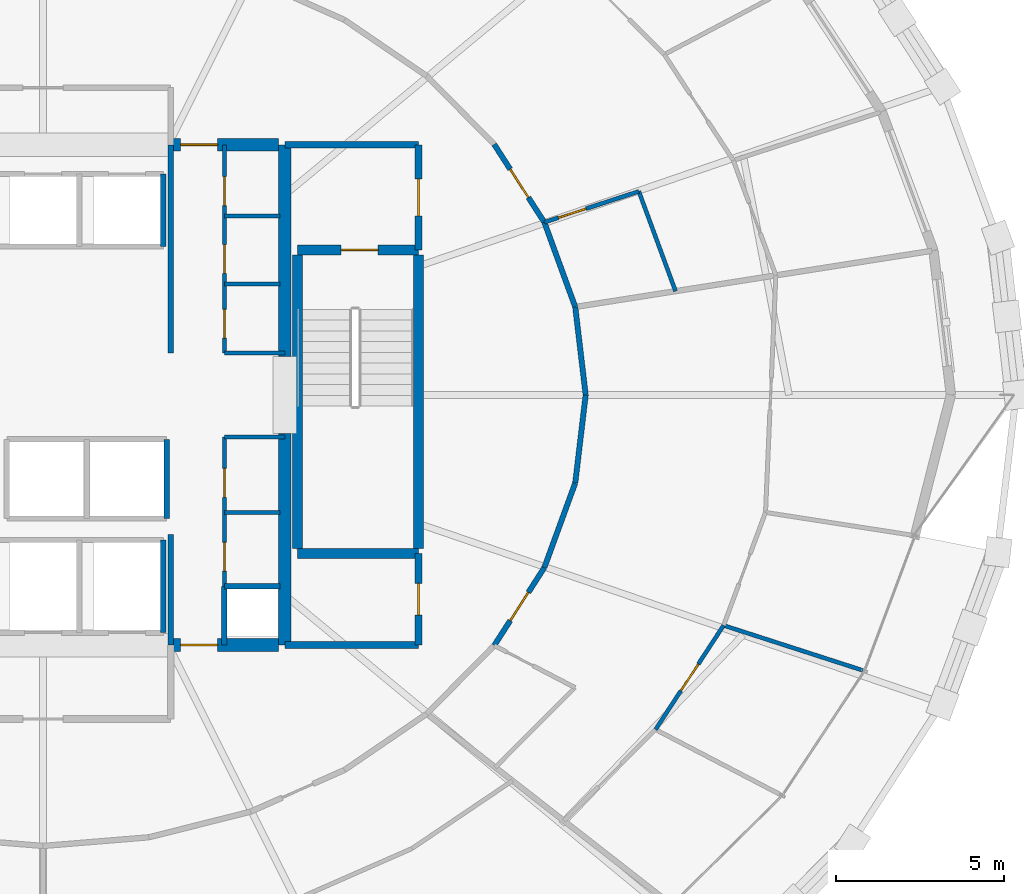
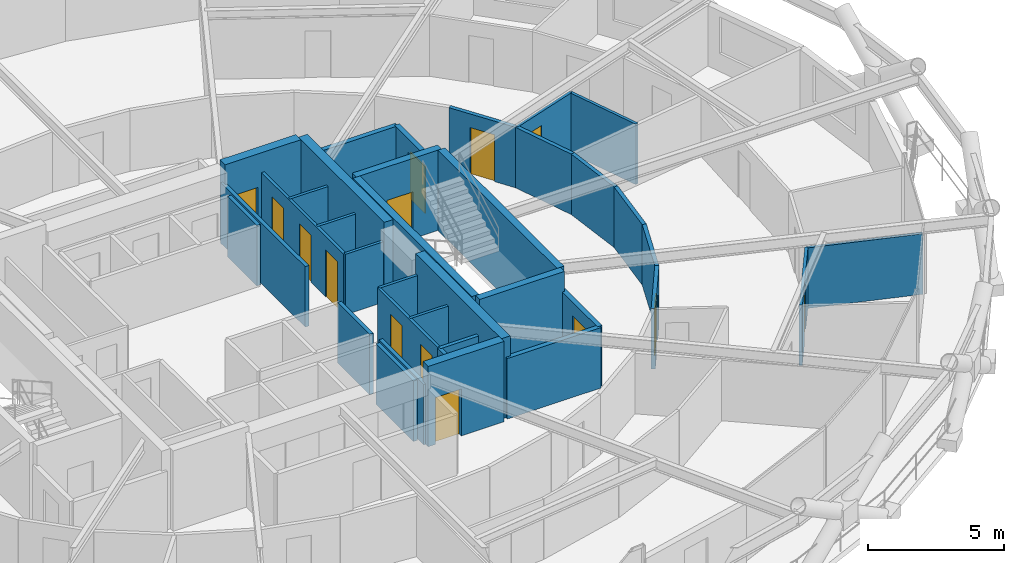
# One storey, part 17 of 22: 36 walls, 14 doors, 14 openings.
"""IFC4 building model written with IfcOpenShell, lengths in metres."""

from ifc_helpers import new_model, si_unit, direction, frame, frame_2d, origin, place, context, subcontext, project, spatial, rectangle, extrude, material, layer, layer_set, type_object, element, fill, save


model = new_model("IFC4")

# Units and contexts
model_context = context("Model", 3, precision=1e-05, world=origin(), true_north=direction((0.0, 1.0)))
body_context = subcontext(model_context, "Body", "Model", "MODEL_VIEW")
ifc_project = project(units=[si_unit("LENGTHUNIT", "METRE"), si_unit("AREAUNIT", "SQUARE_METRE"), si_unit("VOLUMEUNIT", "CUBIC_METRE"), si_unit("PLANEANGLEUNIT", "RADIAN"), si_unit("MASSUNIT", "GRAM", prefix="KILO")], contexts=[model_context])

# Site, building, storey
site_placement = place(None, origin())
site = spatial("IfcSite", under=ifc_project, at=site_placement, CompositionType="ELEMENT")
building_placement = place(site_placement, origin())
building = spatial("IfcBuilding", under=site, at=building_placement, Name="Veldorina Hangang Commons", CompositionType="ELEMENT")
storey_placement = place(building_placement, frame((0.0, 0.0, 80.800048828125)))
storey = spatial("IfcBuildingStorey", under=building, at=storey_placement, Name="L20", CompositionType="ELEMENT", Elevation=80.800048828125)

# Walls
ifc_material_1 = material(Name="Concrete C70/85", Category="concrete")
ifc_layer_1 = layer(ifc_material_1, 0.3798828125)
ifc_layer_set_1 = layer_set([ifc_layer_1], Name="Concrete C70/85")
wall_type_1 = type_object("IfcWallType", Name="CW-RC380-C70", PredefinedType="SHEAR", material=ifc_layer_set_1)
for number, where, z_axis, x_axis, name in (
    (1, (39.199951171875, 16.550048828125, 0.0), (0.0, 0.0, 1.0), (0.0, 1.0, 0.0), "L20 E south core shear wall"),
    (2, (39.199951171875, 25.14990234375, 0.0), (0.0, 0.0, 1.0), (0.0, 1.0, 0.0), "L20 E north core shear wall"),
):
    element("IfcWall", number, at=place(storey_placement, frame(where, z_axis=z_axis, x_axis=x_axis)), inside=storey, type_object=wall_type_1, Name=name, PredefinedType="SHEAR", context=body_context, shape_type="SweptSolid", body=[
        extrude(rectangle(XDim=6.300048828125, YDim=0.3798828125, at=frame_2d((3.14990234375, 0.0))), origin(), (0.0, 0.0, 1.0), 3.599853515625),
    ])

# Wall, opening, door
wall_1_placement = place(storey_placement, frame((35.800048828125, 16.550048828125, 0.0), z_axis=(0.0, 0.0, 1.0), x_axis=(1.0, 0.0, 0.0)))
wall_1 = element("IfcWall", 3, at=wall_1_placement, inside=storey, type_object=wall_type_1, Name="L20 south-east core shear wall", PredefinedType="SHEAR", context=body_context, shape_type="SweptSolid", body=[
    extrude(rectangle(XDim=3.2099609375, YDim=0.3798828125, at=frame_2d((1.60498046875, 0.0))), origin(), (0.0, 0.0, 1.0), 3.599853515625),
])
opening_1_placement = place(wall_1_placement, frame((0.300048828125, 0.0, 0.0)))
opening_1 = element("IfcOpeningElement", 4, at=opening_1_placement, cuts=wall_1, Name="Opening D-08", PredefinedType="OPENING", context=body_context, shape_type="SweptSolid", body=[
    extrude(rectangle(XDim=1.10009765625, YDim=2.10009765625, at=frame_2d((0.550048828125, 1.050048828125))), frame((0.0, 0.199951171875, 0.0), z_axis=(0.0, -1.0, 0.0), x_axis=(1.0, 0.0, 0.0)), (0.0, 0.0, 1.0), 0.39990234375),
])
ifc_material_2 = material(Name="Steel Fire-Rated Smoke Seal", Category="steel")
door_type_1 = type_object("IfcDoorType", Name="DR-FIRE-1100", OperationType="SINGLE_SWING_RIGHT", PredefinedType="DOOR", material=ifc_material_2)
door_1_placement = place(opening_1_placement, origin())
door_1 = element("IfcDoor", 5, at=door_1_placement, inside=storey, type_object=door_type_1, Name="L20 central lift lobby south corridor door", OperationType="SINGLE_SWING_RIGHT", OverallHeight=2.10009765625, OverallWidth=1.10009765625, PredefinedType="DOOR", context=body_context, shape_type="SweptSolid", body=[
    extrude(rectangle(XDim=1.10009765625, YDim=2.10009765625, at=frame_2d((0.550048828125, 1.050048828125))), frame((0.0, 0.02490234375, 0.0), z_axis=(0.0, -1.0, 0.0), x_axis=(1.0, 0.0, 0.0)), (0.0, 0.0, 1.0), 0.050048828125),
])
fill(opening_1, door_1)

wall_2_placement = place(storey_placement, frame((35.800048828125, 31.449951171875, 0.0), z_axis=(0.0, 0.0, 1.0), x_axis=(1.0, 0.0, 0.0)))
wall_2 = element("IfcWall", 6, at=wall_2_placement, inside=storey, type_object=wall_type_1, Name="L20 north-east core shear wall", PredefinedType="SHEAR", context=body_context, shape_type="SweptSolid", body=[
    extrude(rectangle(XDim=3.2099609375, YDim=0.3798828125, at=frame_2d((1.60498046875, 0.0))), origin(), (0.0, 0.0, 1.0), 3.599853515625),
])
opening_2_placement = place(wall_2_placement, frame((0.300048828125, 0.0, 0.0)))
opening_2 = element("IfcOpeningElement", 7, at=opening_2_placement, cuts=wall_2, Name="Opening D-08", PredefinedType="OPENING", context=body_context, shape_type="SweptSolid", body=[
    extrude(rectangle(XDim=1.10009765625, YDim=2.10009765625, at=frame_2d((0.550048828125, 1.050048828125))), frame((0.0, 0.199951171875, 0.0), z_axis=(0.0, -1.0, 0.0), x_axis=(1.0, 0.0, 0.0)), (0.0, 0.0, 1.0), 0.39990234375),
])
door_2_placement = place(opening_2_placement, origin())
door_2 = element("IfcDoor", 8, at=door_2_placement, inside=storey, type_object=door_type_1, Name="L20 central lift lobby north corridor door", OperationType="SINGLE_SWING_LEFT", OverallHeight=2.10009765625, OverallWidth=1.10009765625, PredefinedType="DOOR", context=body_context, shape_type="SweptSolid", body=[
    extrude(rectangle(XDim=1.10009765625, YDim=2.10009765625, at=frame_2d((0.550048828125, 1.050048828125))), frame((0.0, 0.02490234375, 0.0), z_axis=(0.0, -1.0, 0.0), x_axis=(1.0, 0.0, 0.0)), (0.0, 0.0, 1.0), 0.050048828125),
])
fill(opening_2, door_2)

# Walls
ifc_material_3 = material(Name="Concrete C50/60", Category="concrete")
ifc_layer_2 = layer(ifc_material_3, 0.300048828125)
ifc_layer_set_2 = layer_set([ifc_layer_2], Name="Concrete C50/60")
wall_type_2 = type_object("IfcWallType", Name="SW-STAIR-300", PredefinedType="SHEAR", material=ifc_layer_set_2)
for number, where, z_axis, x_axis, name in (
    (9, (43.179931640625, 19.429931640625, 0.0), (0.0, 0.0, 1.0), (0.0, 1.0, 0.0), "L20 ST2 outer stair shear wall"),
    (10, (39.580078125, 19.429931640625, 0.0), (0.0, 0.0, 1.0), (0.0, 1.0, 0.0), "L20 ST2 inner stair shear wall"),
):
    element("IfcWall", number, at=place(storey_placement, frame(where, z_axis=z_axis, x_axis=x_axis)), inside=storey, type_object=wall_type_2, Name=name, PredefinedType="SHEAR", context=body_context, shape_type="SweptSolid", body=[
        extrude(rectangle(XDim=8.739990234375, YDim=0.300048828125, at=frame_2d((4.3701171875, 0.0))), origin(), (0.0, 0.0, 1.0), 3.599853515625),
    ])
wall_3_placement = place(storey_placement, frame((39.580078125, 19.280029296875, 0.0), z_axis=(0.0, 0.0, 1.0), x_axis=(1.0, 0.0, 0.0)))
element("IfcWall", 11, at=wall_3_placement, inside=storey, type_object=wall_type_2, Name="L20 ST2 south stair shear wall", PredefinedType="SHEAR", context=body_context, shape_type="SweptSolid", body=[
    extrude(rectangle(XDim=3.599853515625, YDim=0.300048828125, at=frame_2d((1.7998046875, 0.0))), origin(), (0.0, 0.0, 1.0), 3.599853515625),
])

# Wall, opening, door
wall_4_placement = place(storey_placement, frame((39.580078125, 28.320068359375, 0.0), z_axis=(0.0, 0.0, 1.0), x_axis=(1.0, 0.0, 0.0)))
wall_4 = element("IfcWall", 12, at=wall_4_placement, inside=storey, type_object=wall_type_2, Name="L20 ST2 north stair shear wall", PredefinedType="SHEAR", context=body_context, shape_type="SweptSolid", body=[
    extrude(rectangle(XDim=3.599853515625, YDim=0.300048828125, at=frame_2d((1.7998046875, 0.0))), origin(), (0.0, 0.0, 1.0), 3.599853515625),
])
opening_3_placement = place(wall_4_placement, frame((1.300048828125, 0.0, 0.0)))
opening_3 = element("IfcOpeningElement", 13, at=opening_3_placement, cuts=wall_4, Name="Opening D-08", PredefinedType="OPENING", context=body_context, shape_type="SweptSolid", body=[
    extrude(rectangle(XDim=1.10009765625, YDim=2.10009765625, at=frame_2d((0.550048828125, 1.050048828125))), frame((0.0, 0.16015625, 0.0), z_axis=(0.0, -1.0, 0.0), x_axis=(1.0, 0.0, 0.0)), (0.0, 0.0, 1.0), 0.320068359375),
])
door_3_placement = place(opening_3_placement, origin())
door_3 = element("IfcDoor", 14, at=door_3_placement, inside=storey, type_object=door_type_1, Name="L20 Special Escape Stair ST-2 door", OperationType="SINGLE_SWING_RIGHT", OverallHeight=2.10009765625, OverallWidth=1.10009765625, PredefinedType="DOOR", context=body_context, shape_type="SweptSolid", body=[
    extrude(rectangle(XDim=1.10009765625, YDim=2.10009765625, at=frame_2d((0.550048828125, 1.050048828125))), frame((0.0, 0.02490234375, 0.0), z_axis=(0.0, -1.0, 0.0), x_axis=(1.0, 0.0, 0.0)), (0.0, 0.0, 1.0), 0.050048828125),
])
fill(opening_3, door_3)

# Walls
ifc_material_4 = material(Name="Gypsum Fire-Rated Twin Stud Wall", Category="gypsum")
ifc_layer_3 = layer(ifc_material_4, 0.159912109375)
ifc_layer_set_3 = layer_set([ifc_layer_3], Name="Gypsum Fire-Rated Twin Stud Wall")
wall_type_3 = type_object("IfcWallType", Name="WL-FIRE-160", PredefinedType="SOLIDWALL", material=ifc_layer_set_3)
wall_5_placement = place(storey_placement, frame((35.800048828125, 16.550048828125, 0.0), z_axis=(0.0, 0.0, 1.0), x_axis=(0.0, 1.0, 0.0)))
element("IfcWall", 15, at=wall_5_placement, inside=storey, type_object=wall_type_3, Name="L20 Lift passage SW wall 009", PredefinedType="SOLIDWALL", context=body_context, shape_type="SweptSolid", body=[
    extrude(rectangle(XDim=3.300048828125, YDim=0.159912109375, at=frame_2d((1.64990234375, 0.0))), origin(), (0.0, 0.0, 1.0), 2.7099609375),
])
wall_6_placement = place(storey_placement, frame((37.39990234375, 16.550048828125, 0.0), z_axis=(0.0, 0.0, 1.0), x_axis=(0.0, 1.0, 0.0)))
element("IfcWall", 16, at=wall_6_placement, inside=storey, type_object=wall_type_3, Name="L20 Lift passage SE stub 010", PredefinedType="SOLIDWALL", context=body_context, shape_type="SweptSolid", body=[
    extrude(rectangle(XDim=1.75, YDim=0.159912109375, at=frame_2d((0.875, 0.0))), origin(), (0.0, 0.0, 1.0), 2.7099609375),
])
wall_7_placement = place(storey_placement, frame((35.800048828125, 25.25, 0.0), z_axis=(0.0, 0.0, 1.0), x_axis=(0.0, 1.0, 0.0)))
element("IfcWall", 17, at=wall_7_placement, inside=storey, type_object=wall_type_3, Name="L20 Lift passage NW wall 011", PredefinedType="SOLIDWALL", context=body_context, shape_type="SweptSolid", body=[
    extrude(rectangle(XDim=6.199951171875, YDim=0.159912109375, at=frame_2d((3.10009765625, 0.0))), origin(), (0.0, 0.0, 1.0), 2.7099609375),
])
wall_8_placement = place(storey_placement, frame((35.580078125, 28.419921875, 0.0), z_axis=(0.0, 0.0, 1.0), x_axis=(0.0, 1.0, 0.0)))
element("IfcWall", 18, at=wall_8_placement, inside=storey, type_object=wall_type_3, Name="L20 PL-L3 east shaft wall 020", PredefinedType="SOLIDWALL", context=body_context, shape_type="SweptSolid", body=[
    extrude(rectangle(XDim=2.16015625, YDim=0.159912109375, at=frame_2d((1.080078125, 0.0))), origin(), (0.0, 0.0, 1.0), 2.7099609375),
])
wall_9_placement = place(storey_placement, frame((35.679931640625, 20.320068359375, 0.0), z_axis=(0.0, 0.0, 1.0), x_axis=(0.0, 1.0, 0.0)))
element("IfcWall", 19, at=wall_9_placement, inside=storey, type_object=wall_type_3, Name="L20 SL-2 east shaft wall 025", PredefinedType="SOLIDWALL", context=body_context, shape_type="SweptSolid", body=[
    extrude(rectangle(XDim=2.35986328125, YDim=0.159912109375, at=frame_2d((1.179931640625, 0.0))), origin(), (0.0, 0.0, 1.0), 2.7099609375),
])
wall_10_placement = place(storey_placement, frame((35.580078125, 16.919921875, 0.0), z_axis=(0.0, 0.0, 1.0), x_axis=(0.0, 1.0, 0.0)))
element("IfcWall", 20, at=wall_10_placement, inside=storey, type_object=wall_type_3, Name="L20 EVL-1 east shaft wall 031", PredefinedType="SOLIDWALL", context=body_context, shape_type="SweptSolid", body=[
    extrude(rectangle(XDim=2.760009765625, YDim=0.159912109375, at=frame_2d((1.3798828125, 0.0))), origin(), (0.0, 0.0, 1.0), 2.7099609375),
])
wall_11_placement = place(storey_placement, frame((37.39990234375, 18.300048828125, 0.0), z_axis=(0.0, 0.0, 1.0), x_axis=(1.0, 0.0, 0.0)))
element("IfcWall", 21, at=wall_11_placement, inside=storey, type_object=wall_type_3, Name="L20 Plumbing riser wall 037", PredefinedType="SOLIDWALL", context=body_context, shape_type="SweptSolid", body=[
    extrude(rectangle(XDim=1.650146484375, YDim=0.159912109375, at=frame_2d((0.8251953125, 0.0))), origin(), (0.0, 0.0, 1.0), 2.7099609375),
])
wall_12_placement = place(storey_placement, frame((48.162109375, 24.0, 0.0), z_axis=(0.0, 0.0, 1.0), x_axis=(-0.117667763342, 0.993053018459, 0.0)))
element("IfcWall", 22, at=wall_12_placement, inside=storey, type_object=wall_type_3, Name="L20 Corridor outer wall 00 050", PredefinedType="SOLIDWALL", context=body_context, shape_type="SweptSolid", body=[
    extrude(rectangle(XDim=2.63916015625, YDim=0.159912109375, at=frame_2d((1.319580078125, 0.0))), origin(), (0.0, 0.0, 1.0), 2.7099609375),
])
wall_13_placement = place(storey_placement, frame((47.8515625, 26.620849609375, 0.0), z_axis=(0.0, 0.0, 1.0), x_axis=(-0.342882618672, 0.939378257047, 0.0)))
element("IfcWall", 23, at=wall_13_placement, inside=storey, type_object=wall_type_3, Name="L20 Corridor outer wall 01 051", PredefinedType="SOLIDWALL", context=body_context, shape_type="SweptSolid", body=[
    extrude(rectangle(XDim=2.682861328125, YDim=0.159912109375, at=frame_2d((1.34130859375, 0.0))), origin(), (0.0, 0.0, 1.0), 2.7099609375),
])

# Wall, opening, door
wall_14_placement = place(storey_placement, frame((46.931640625, 29.14111328125, 0.0), z_axis=(0.0, 0.0, 1.0), x_axis=(-0.540891657444, 0.841092274907, 0.0)))
wall_14 = element("IfcWall", 24, at=wall_14_placement, inside=storey, type_object=wall_type_3, Name="L20 Corridor outer wall 02 052", PredefinedType="SOLIDWALL", context=body_context, shape_type="SweptSolid", body=[
    extrude(rectangle(XDim=2.760986328125, YDim=0.159912109375, at=frame_2d((1.38037109375, 0.0))), origin(), (0.0, 0.0, 1.0), 2.7099609375),
])
opening_4_placement = place(wall_14_placement, frame((0.880615234375, 0.0, 0.0)))
opening_4 = element("IfcOpeningElement", 25, at=opening_4_placement, cuts=wall_14, Name="Opening D-06", PredefinedType="OPENING", context=body_context, shape_type="SweptSolid", body=[
    extrude(rectangle(XDim=1.0, YDim=2.10009765625, at=frame_2d((0.5, 1.050048828125))), frame((0.0, 0.08984375, 0.0), z_axis=(0.0, -1.0, 0.0), x_axis=(1.0, 0.0, 0.0)), (0.0, 0.0, 1.0), 0.179931640625),
])
ifc_material_5 = material(Name="Timber Fire-Rated Entrance Core", Category="wood")
door_type_2 = type_object("IfcDoorType", Name="DR-UNIT-1000", OperationType="SINGLE_SWING_LEFT", PredefinedType="DOOR", material=ifc_material_5)
door_4_placement = place(opening_4_placement, origin())
door_4 = element("IfcDoor", 26, at=door_4_placement, inside=storey, type_object=door_type_2, Name="L20 Cluster 3 entrance door 031", OperationType="SINGLE_SWING_LEFT", OverallHeight=2.10009765625, OverallWidth=1.0, PredefinedType="DOOR", context=body_context, shape_type="SweptSolid", body=[
    extrude(rectangle(XDim=1.0, YDim=2.10009765625, at=frame_2d((0.5, 1.050048828125))), frame((0.0, 0.02490234375, 0.0), z_axis=(0.0, -1.0, 0.0), x_axis=(1.0, 0.0, 0.0)), (0.0, 0.0, 1.0), 0.050048828125),
])
fill(opening_4, door_4)

wall_15_placement = place(storey_placement, frame((45.438232421875, 16.53662109375, 0.0), z_axis=(0.0, 0.0, 1.0), x_axis=(0.540891657444, 0.841092274907, 0.0)))
wall_15 = element("IfcWall", 27, at=wall_15_placement, inside=storey, type_object=wall_type_3, Name="L20 Corridor outer wall 29 079", PredefinedType="SOLIDWALL", context=body_context, shape_type="SweptSolid", body=[
    extrude(rectangle(XDim=2.760986328125, YDim=0.159912109375, at=frame_2d((1.38037109375, 0.0))), origin(), (0.0, 0.0, 1.0), 2.7099609375),
])
opening_5_placement = place(wall_15_placement, frame((0.880615234375, 0.0, 0.0)))
opening_5 = element("IfcOpeningElement", 28, at=opening_5_placement, cuts=wall_15, Name="Opening D-06", PredefinedType="OPENING", context=body_context, shape_type="SweptSolid", body=[
    extrude(rectangle(XDim=1.0, YDim=2.10009765625, at=frame_2d((0.5, 1.050048828125))), frame((0.0, 0.08984375, 0.0), z_axis=(0.0, -1.0, 0.0), x_axis=(1.0, 0.0, 0.0)), (0.0, 0.0, 1.0), 0.179931640625),
])
door_5_placement = place(opening_5_placement, origin())
door_5 = element("IfcDoor", 29, at=door_5_placement, inside=storey, type_object=door_type_2, Name="L20 Cluster 2 entrance door 025", OperationType="SINGLE_SWING_LEFT", OverallHeight=2.10009765625, OverallWidth=1.0, PredefinedType="DOOR", context=body_context, shape_type="SweptSolid", body=[
    extrude(rectangle(XDim=1.0, YDim=2.10009765625, at=frame_2d((0.5, 1.050048828125))), frame((0.0, 0.02490234375, 0.0), z_axis=(0.0, -1.0, 0.0), x_axis=(1.0, 0.0, 0.0)), (0.0, 0.0, 1.0), 0.050048828125),
])
fill(opening_5, door_5)

# Walls
wall_16_placement = place(storey_placement, frame((46.931640625, 18.85888671875, 0.0), z_axis=(0.0, 0.0, 1.0), x_axis=(0.342882618672, 0.939378257047, 0.0)))
element("IfcWall", 30, at=wall_16_placement, inside=storey, type_object=wall_type_3, Name="L20 Corridor outer wall 30 080", PredefinedType="SOLIDWALL", context=body_context, shape_type="SweptSolid", body=[
    extrude(rectangle(XDim=2.682861328125, YDim=0.159912109375, at=frame_2d((1.34130859375, 0.0))), origin(), (0.0, 0.0, 1.0), 2.7099609375),
])
wall_17_placement = place(storey_placement, frame((47.8515625, 21.379150390625, 0.0), z_axis=(0.0, 0.0, 1.0), x_axis=(0.117667763342, 0.993053018459, 0.0)))
element("IfcWall", 31, at=wall_17_placement, inside=storey, type_object=wall_type_3, Name="L20 Corridor outer wall 31 081", PredefinedType="SOLIDWALL", context=body_context, shape_type="SweptSolid", body=[
    extrude(rectangle(XDim=2.63916015625, YDim=0.159912109375, at=frame_2d((1.319580078125, 0.0))), origin(), (0.0, 0.0, 1.0), 2.7099609375),
])

# Wall, opening, door
ifc_material_6 = material(Name="Concrete Blockwork Fire Wall C30/37", Category="masonry")
ifc_layer_4 = layer(ifc_material_6, 0.199951171875)
ifc_layer_set_4 = layer_set([ifc_layer_4], Name="Concrete Blockwork Fire Wall C30/37")
wall_type_4 = type_object("IfcWallType", Name="WL-FIRE-200", PredefinedType="SOLIDWALL", material=ifc_layer_set_4)
wall_18_placement = place(storey_placement, frame((43.179931640625, 28.320068359375, 0.0), z_axis=(0.0, 0.0, 1.0), x_axis=(0.0, 1.0, 0.0)))
wall_18 = element("IfcWall", 32, at=wall_18_placement, inside=storey, type_object=wall_type_4, Name="L20 East vestibule outer wall 003", PredefinedType="SOLIDWALL", context=body_context, shape_type="SweptSolid", body=[
    extrude(rectangle(XDim=3.1298828125, YDim=0.199951171875, at=frame_2d((1.56494140625, 0.0))), origin(), (0.0, 0.0, 1.0), 2.7099609375),
])
opening_6_placement = place(wall_18_placement, frame((1.014892578125, 0.0, 0.0)))
opening_6 = element("IfcOpeningElement", 33, at=opening_6_placement, cuts=wall_18, Name="Opening D-08", PredefinedType="OPENING", context=body_context, shape_type="SweptSolid", body=[
    extrude(rectangle(XDim=1.10009765625, YDim=2.10009765625, at=frame_2d((0.550048828125, 1.050048828125))), frame((0.0, 0.10986328125, 0.0), z_axis=(0.0, -1.0, 0.0), x_axis=(1.0, 0.0, 0.0)), (0.0, 0.0, 1.0), 0.219970703125),
])
door_6_placement = place(opening_6_placement, origin())
door_6 = element("IfcDoor", 34, at=door_6_placement, inside=storey, type_object=door_type_1, Name="L20 East vestibule east door 002", OperationType="SINGLE_SWING_RIGHT", OverallHeight=2.10009765625, OverallWidth=1.10009765625, PredefinedType="DOOR", context=body_context, shape_type="SweptSolid", body=[
    extrude(rectangle(XDim=1.10009765625, YDim=2.10009765625, at=frame_2d((0.550048828125, 1.050048828125))), frame((0.0, 0.02490234375, 0.0), z_axis=(0.0, -1.0, 0.0), x_axis=(1.0, 0.0, 0.0)), (0.0, 0.0, 1.0), 0.050048828125),
])
fill(opening_6, door_6)

# Wall
wall_19_placement = place(storey_placement, frame((39.199951171875, 31.449951171875, 0.0), z_axis=(0.0, 0.0, 1.0), x_axis=(1.0, 0.0, 0.0)))
element("IfcWall", 35, at=wall_19_placement, inside=storey, type_object=wall_type_4, Name="L20 East vestibule north wall 004", PredefinedType="SOLIDWALL", context=body_context, shape_type="SweptSolid", body=[
    extrude(rectangle(XDim=3.97998046875, YDim=0.199951171875, at=frame_2d((1.989990234375, 0.0))), origin(), (0.0, 0.0, 1.0), 2.7099609375),
])

# Wall, opening, door
wall_20_placement = place(storey_placement, frame((43.179931640625, 16.550048828125, 0.0), z_axis=(0.0, 0.0, 1.0), x_axis=(0.0, 1.0, 0.0)))
wall_20 = element("IfcWall", 36, at=wall_20_placement, inside=storey, type_object=wall_type_4, Name="L20 SE core room outer wall 007", PredefinedType="SOLIDWALL", context=body_context, shape_type="SweptSolid", body=[
    extrude(rectangle(XDim=2.72998046875, YDim=0.199951171875, at=frame_2d((1.364990234375, 0.0))), origin(), (0.0, 0.0, 1.0), 2.7099609375),
])
opening_7_placement = place(wall_20_placement, frame((0.889892578125, 0.0, 0.0)))
opening_7 = element("IfcOpeningElement", 37, at=opening_7_placement, cuts=wall_20, Name="Opening D-02", PredefinedType="OPENING", context=body_context, shape_type="SweptSolid", body=[
    extrude(rectangle(XDim=0.949951171875, YDim=2.10009765625, at=frame_2d((0.47509765625, 1.050048828125))), frame((0.0, 0.10986328125, 0.0), z_axis=(0.0, -1.0, 0.0), x_axis=(1.0, 0.0, 0.0)), (0.0, 0.0, 1.0), 0.219970703125),
])
ifc_material_7 = material(Name="Timber Solid Core Acoustic", Category="wood")
door_type_3 = type_object("IfcDoorType", Name="DR-INT-950", OperationType="SINGLE_SWING_LEFT", PredefinedType="DOOR", material=ifc_material_7)
door_7_placement = place(opening_7_placement, origin())
door_7 = element("IfcDoor", 38, at=door_7_placement, inside=storey, type_object=door_type_3, Name="L20 SE core WC door 004", OperationType="SINGLE_SWING_RIGHT", OverallHeight=2.10009765625, OverallWidth=0.949951171875, PredefinedType="DOOR", context=body_context, shape_type="SweptSolid", body=[
    extrude(rectangle(XDim=0.949951171875, YDim=2.10009765625, at=frame_2d((0.47509765625, 1.050048828125))), frame((0.0, 0.02490234375, 0.0), z_axis=(0.0, -1.0, 0.0), x_axis=(1.0, 0.0, 0.0)), (0.0, 0.0, 1.0), 0.050048828125),
])
fill(opening_7, door_7)

# Wall
wall_21_placement = place(storey_placement, frame((39.199951171875, 16.550048828125, 0.0), z_axis=(0.0, 0.0, 1.0), x_axis=(1.0, 0.0, 0.0)))
element("IfcWall", 39, at=wall_21_placement, inside=storey, type_object=wall_type_4, Name="L20 SE core room south wall 008", PredefinedType="SOLIDWALL", context=body_context, shape_type="SweptSolid", body=[
    extrude(rectangle(XDim=3.97998046875, YDim=0.199951171875, at=frame_2d((1.989990234375, 0.0))), origin(), (0.0, 0.0, 1.0), 2.7099609375),
])

# Wall, openings, doors
ifc_material_8 = material(Name="Gypsum Acoustic Stud Partition", Category="gypsum")
ifc_layer_5 = layer(ifc_material_8, 0.1201171875)
ifc_layer_set_5 = layer_set([ifc_layer_5], Name="Gypsum Acoustic Stud Partition")
wall_type_5 = type_object("IfcWallType", Name="WL-PART-120", PredefinedType="PARTITIONING", material=ifc_layer_set_5)
wall_22_placement = place(storey_placement, frame((37.39990234375, 25.25, 0.0), z_axis=(0.0, 0.0, 1.0), x_axis=(0.0, 1.0, 0.0)))
wall_22 = element("IfcWall", 40, at=wall_22_placement, inside=storey, type_object=wall_type_5, Name="L20 NE strip lobby wall 041", PredefinedType="PARTITIONING", context=body_context, shape_type="SweptSolid", body=[
    extrude(rectangle(XDim=6.199951171875, YDim=0.1201171875, at=frame_2d((3.10009765625, 0.0))), origin(), (0.0, 0.0, 1.0), 2.7099609375),
])
opening_8_placement = place(wall_22_placement, frame((0.43994140625, 0.0, 0.0)))
opening_8 = element("IfcOpeningElement", 41, at=opening_8_placement, cuts=wall_22, Name="Opening D-01", PredefinedType="OPENING", context=body_context, shape_type="SweptSolid", body=[
    extrude(rectangle(XDim=0.860107421875, YDim=2.10009765625, at=frame_2d((0.43017578125, 1.050048828125))), frame((0.0, 0.070068359375, 0.0), z_axis=(0.0, -1.0, 0.0), x_axis=(1.0, 0.0, 0.0)), (0.0, 0.0, 1.0), 0.14013671875),
])
opening_9_placement = place(wall_22_placement, frame((2.3701171875, 0.0, 0.0)))
opening_9 = element("IfcOpeningElement", 42, at=opening_9_placement, cuts=wall_22, Name="Opening D-01", PredefinedType="OPENING", context=body_context, shape_type="SweptSolid", body=[
    extrude(rectangle(XDim=0.860107421875, YDim=2.10009765625, at=frame_2d((0.43017578125, 1.050048828125))), frame((0.0, 0.070068359375, 0.0), z_axis=(0.0, -1.0, 0.0), x_axis=(1.0, 0.0, 0.0)), (0.0, 0.0, 1.0), 0.14013671875),
])
opening_10_placement = place(wall_22_placement, frame((4.389892578125, 0.0, 0.0)))
opening_10 = element("IfcOpeningElement", 43, at=opening_10_placement, cuts=wall_22, Name="Opening D-01", PredefinedType="OPENING", context=body_context, shape_type="SweptSolid", body=[
    extrude(rectangle(XDim=0.860107421875, YDim=2.10009765625, at=frame_2d((0.43017578125, 1.050048828125))), frame((0.0, 0.070068359375, 0.0), z_axis=(0.0, -1.0, 0.0), x_axis=(1.0, 0.0, 0.0)), (0.0, 0.0, 1.0), 0.14013671875),
])
ifc_material_9 = material(Name="Timber Moisture-Resistant Core", Category="wood")
door_type_4 = type_object("IfcDoorType", Name="DR-WET-860", OperationType="SINGLE_SWING_LEFT", PredefinedType="DOOR", material=ifc_material_9)
door_8_placement = place(opening_8_placement, origin())
door_8 = element("IfcDoor", 44, at=door_8_placement, inside=storey, type_object=door_type_4, Name="L20 Fiber Riser Closet door 017", OperationType="SINGLE_SWING_LEFT", OverallHeight=2.10009765625, OverallWidth=0.860107421875, PredefinedType="DOOR", context=body_context, shape_type="SweptSolid", body=[
    extrude(rectangle(XDim=0.860107421875, YDim=2.10009765625, at=frame_2d((0.43017578125, 1.050048828125))), frame((0.0, 0.02490234375, 0.0), z_axis=(0.0, -1.0, 0.0), x_axis=(1.0, 0.0, 0.0)), (0.0, 0.0, 1.0), 0.050048828125),
])
fill(opening_8, door_8)
door_9_placement = place(opening_9_placement, origin())
door_9 = element("IfcDoor", 45, at=door_9_placement, inside=storey, type_object=door_type_4, Name="L20 AV Rack Closet door 018", OperationType="SINGLE_SWING_RIGHT", OverallHeight=2.10009765625, OverallWidth=0.860107421875, PredefinedType="DOOR", context=body_context, shape_type="SweptSolid", body=[
    extrude(rectangle(XDim=0.860107421875, YDim=2.10009765625, at=frame_2d((0.43017578125, 1.050048828125))), frame((0.0, 0.02490234375, 0.0), z_axis=(0.0, -1.0, 0.0), x_axis=(1.0, 0.0, 0.0)), (0.0, 0.0, 1.0), 0.050048828125),
])
fill(opening_9, door_9)
door_10_placement = place(opening_10_placement, origin())
door_10 = element("IfcDoor", 46, at=door_10_placement, inside=storey, type_object=door_type_4, Name="L20 Supply Closet door 019", OperationType="SINGLE_SWING_LEFT", OverallHeight=2.10009765625, OverallWidth=0.860107421875, PredefinedType="DOOR", context=body_context, shape_type="SweptSolid", body=[
    extrude(rectangle(XDim=0.860107421875, YDim=2.10009765625, at=frame_2d((0.43017578125, 1.050048828125))), frame((0.0, 0.02490234375, 0.0), z_axis=(0.0, -1.0, 0.0), x_axis=(1.0, 0.0, 0.0)), (0.0, 0.0, 1.0), 0.050048828125),
])
fill(opening_10, door_10)

# Wall
wall_23_placement = place(storey_placement, frame((37.39990234375, 25.25, 0.0), z_axis=(0.0, 0.0, 1.0), x_axis=(1.0, 0.0, 0.0)))
element("IfcWall", 47, at=wall_23_placement, inside=storey, type_object=wall_type_5, Name="L20 NE strip south return wall 042", PredefinedType="PARTITIONING", context=body_context, shape_type="SweptSolid", body=[
    extrude(rectangle(XDim=1.800048828125, YDim=0.1201171875, at=frame_2d((0.89990234375, 0.0))), origin(), (0.0, 0.0, 1.0), 2.7099609375),
])

# Wall, openings, doors
wall_24_placement = place(storey_placement, frame((37.39990234375, 18.300048828125, 0.0), z_axis=(0.0, 0.0, 1.0), x_axis=(0.0, 1.0, 0.0)))
wall_24 = element("IfcWall", 48, at=wall_24_placement, inside=storey, type_object=wall_type_5, Name="L20 SE strip lobby wall 043", PredefinedType="PARTITIONING", context=body_context, shape_type="SweptSolid", body=[
    extrude(rectangle(XDim=4.449951171875, YDim=0.1201171875, at=frame_2d((2.22509765625, 0.0))), origin(), (0.0, 0.0, 1.0), 2.7099609375),
])
opening_11_placement = place(wall_24_placement, frame((0.449951171875, 0.0, 0.0)))
opening_11 = element("IfcOpeningElement", 49, at=opening_11_placement, cuts=wall_24, Name="Opening D-01", PredefinedType="OPENING", context=body_context, shape_type="SweptSolid", body=[
    extrude(rectangle(XDim=0.860107421875, YDim=2.10009765625, at=frame_2d((0.43017578125, 1.050048828125))), frame((0.0, 0.070068359375, 0.0), z_axis=(0.0, -1.0, 0.0), x_axis=(1.0, 0.0, 0.0)), (0.0, 0.0, 1.0), 0.14013671875),
])
opening_12_placement = place(wall_24_placement, frame((2.64990234375, 0.0, 0.0)))
opening_12 = element("IfcOpeningElement", 50, at=opening_12_placement, cuts=wall_24, Name="Opening D-01", PredefinedType="OPENING", context=body_context, shape_type="SweptSolid", body=[
    extrude(rectangle(XDim=0.860107421875, YDim=2.10009765625, at=frame_2d((0.43017578125, 1.050048828125))), frame((0.0, 0.070068359375, 0.0), z_axis=(0.0, -1.0, 0.0), x_axis=(1.0, 0.0, 0.0)), (0.0, 0.0, 1.0), 0.14013671875),
])
door_11_placement = place(opening_11_placement, origin())
door_11 = element("IfcDoor", 51, at=door_11_placement, inside=storey, type_object=door_type_4, Name="L20 Janitor sink door 020", OperationType="SINGLE_SWING_RIGHT", OverallHeight=2.10009765625, OverallWidth=0.860107421875, PredefinedType="DOOR", context=body_context, shape_type="SweptSolid", body=[
    extrude(rectangle(XDim=0.860107421875, YDim=2.10009765625, at=frame_2d((0.43017578125, 1.050048828125))), frame((0.0, 0.02490234375, 0.0), z_axis=(0.0, -1.0, 0.0), x_axis=(1.0, 0.0, 0.0)), (0.0, 0.0, 1.0), 0.050048828125),
])
fill(opening_11, door_11)
door_12_placement = place(opening_12_placement, origin())
door_12 = element("IfcDoor", 52, at=door_12_placement, inside=storey, type_object=door_type_4, Name="L20 Fire panel door 021", OperationType="SINGLE_SWING_LEFT", OverallHeight=2.10009765625, OverallWidth=0.860107421875, PredefinedType="DOOR", context=body_context, shape_type="SweptSolid", body=[
    extrude(rectangle(XDim=0.860107421875, YDim=2.10009765625, at=frame_2d((0.43017578125, 1.050048828125))), frame((0.0, 0.02490234375, 0.0), z_axis=(0.0, -1.0, 0.0), x_axis=(1.0, 0.0, 0.0)), (0.0, 0.0, 1.0), 0.050048828125),
])
fill(opening_12, door_12)

# Walls
wall_25_placement = place(storey_placement, frame((37.39990234375, 22.75, 0.0), z_axis=(0.0, 0.0, 1.0), x_axis=(1.0, 0.0, 0.0)))
element("IfcWall", 53, at=wall_25_placement, inside=storey, type_object=wall_type_5, Name="L20 SE strip north return wall 044", PredefinedType="PARTITIONING", context=body_context, shape_type="SweptSolid", body=[
    extrude(rectangle(XDim=1.800048828125, YDim=0.1201171875, at=frame_2d((0.89990234375, 0.0))), origin(), (0.0, 0.0, 1.0), 2.7099609375),
])
for number, where, z_axis, x_axis, name in (
    (54, (37.39990234375, 27.300048828125, 0.0), (0.0, 0.0, 1.0), (1.0, 0.0, 0.0), "L20 NE split 1 047"),
    (55, (37.39990234375, 29.330078125, 0.0), (0.0, 0.0, 1.0), (1.0, 0.0, 0.0), "L20 NE split 2 048"),
    (56, (37.39990234375, 20.5, 0.0), (0.0, 0.0, 1.0), (1.0, 0.0, 0.0), "L20 SE horizontal split 049"),
):
    element("IfcWall", number, at=place(storey_placement, frame(where, z_axis=z_axis, x_axis=x_axis)), inside=storey, type_object=wall_type_5, Name=name, PredefinedType="PARTITIONING", context=body_context, shape_type="SweptSolid", body=[
        extrude(rectangle(XDim=1.650146484375, YDim=0.1201171875, at=frame_2d((0.8251953125, 0.0))), origin(), (0.0, 0.0, 1.0), 2.7099609375),
    ])

# Wall, opening, door
wall_26_placement = place(storey_placement, frame((50.242431640625, 14.033203125, 0.0), z_axis=(0.0, 0.0, 1.0), x_axis=(0.547181905029, 0.837013717217, 0.0)))
wall_26 = element("IfcWall", 57, at=wall_26_placement, inside=storey, type_object=wall_type_5, Name="L20 Cluster 2 bed 2 front wall 091", PredefinedType="PARTITIONING", context=body_context, shape_type="SweptSolid", body=[
    extrude(rectangle(XDim=3.70556640625, YDim=0.1201171875, at=frame_2d((1.852783203125, 0.0))), origin(), (0.0, 0.0, 1.0), 2.7099609375),
])
opening_13_placement = place(wall_26_placement, frame((1.377685546875, 0.0, 0.0)))
opening_13 = element("IfcOpeningElement", 58, at=opening_13_placement, cuts=wall_26, Name="Opening D-02", PredefinedType="OPENING", context=body_context, shape_type="SweptSolid", body=[
    extrude(rectangle(XDim=0.949951171875, YDim=2.10009765625, at=frame_2d((0.47509765625, 1.050048828125))), frame((0.0, 0.070068359375, 0.0), z_axis=(0.0, -1.0, 0.0), x_axis=(1.0, 0.0, 0.0)), (0.0, 0.0, 1.0), 0.14013671875),
])
door_13_placement = place(opening_13_placement, origin())
door_13 = element("IfcDoor", 59, at=door_13_placement, inside=storey, type_object=door_type_3, Name="L20 Cluster 2 bed 2 door 027", OperationType="SINGLE_SWING_LEFT", OverallHeight=2.10009765625, OverallWidth=0.949951171875, PredefinedType="DOOR", context=body_context, shape_type="SweptSolid", body=[
    extrude(rectangle(XDim=0.949951171875, YDim=2.10009765625, at=frame_2d((0.47509765625, 1.050048828125))), frame((0.0, 0.02490234375, 0.0), z_axis=(0.0, -1.0, 0.0), x_axis=(1.0, 0.0, 0.0)), (0.0, 0.0, 1.0), 0.050048828125),
])
fill(opening_13, door_13)

# Walls
wall_27_placement = place(storey_placement, frame((52.27001953125, 17.134765625, 0.0), z_axis=(0.0, 0.0, 1.0), x_axis=(0.951594494346, -0.307356337709, 0.0)))
element("IfcWall", 60, at=wall_27_placement, inside=storey, type_object=wall_type_5, Name="L20 Cluster 2 bed divider 2 094", PredefinedType="PARTITIONING", context=body_context, shape_type="SweptSolid", body=[
    extrude(rectangle(XDim=4.357666015625, YDim=0.1201171875, at=frame_2d((2.1787109375, 0.0))), origin(), (0.0, 0.0, 1.0), 2.7099609375),
])
wall_28_placement = place(storey_placement, frame((50.8388671875, 27.0908203125, 0.0), z_axis=(0.0, 0.0, 1.0), x_axis=(-0.34521944279, 0.938521995651, 0.0)))
element("IfcWall", 61, at=wall_28_placement, inside=storey, type_object=wall_type_5, Name="L20 Cluster 3 bath front wall 098", PredefinedType="PARTITIONING", context=body_context, shape_type="SweptSolid", body=[
    extrude(rectangle(XDim=3.166748046875, YDim=0.1201171875, at=frame_2d((1.58349609375, 0.0))), origin(), (0.0, 0.0, 1.0), 2.7099609375),
])

# Wall, opening, door
wall_29_placement = place(storey_placement, frame((46.931640625, 29.14111328125, 0.0), z_axis=(0.0, 0.0, 1.0), x_axis=(0.950303140024, 0.311326102441, 0.0)))
wall_29 = element("IfcWall", 62, at=wall_29_placement, inside=storey, type_object=wall_type_5, Name="L20 Cluster 3 bath side wall 099", PredefinedType="PARTITIONING", context=body_context, shape_type="SweptSolid", body=[
    extrude(rectangle(XDim=2.961181640625, YDim=0.1201171875, at=frame_2d((1.48046875, 0.0))), origin(), (0.0, 0.0, 1.0), 2.7099609375),
])
opening_14_placement = place(wall_29_placement, frame((0.43994140625, 0.0, 0.0)))
opening_14 = element("IfcOpeningElement", 63, at=opening_14_placement, cuts=wall_29, Name="Opening D-01", PredefinedType="OPENING", context=body_context, shape_type="SweptSolid", body=[
    extrude(rectangle(XDim=0.860107421875, YDim=2.10009765625, at=frame_2d((0.43017578125, 1.050048828125))), frame((0.0, 0.070068359375, 0.0), z_axis=(0.0, -1.0, 0.0), x_axis=(1.0, 0.0, 0.0)), (0.0, 0.0, 1.0), 0.14013671875),
])
door_14_placement = place(opening_14_placement, origin())
door_14 = element("IfcDoor", 64, at=door_14_placement, inside=storey, type_object=door_type_4, Name="L20 Cluster 3 shared bathroom door 030", OperationType="SINGLE_SWING_RIGHT", OverallHeight=2.10009765625, OverallWidth=0.860107421875, PredefinedType="DOOR", context=body_context, shape_type="SweptSolid", body=[
    extrude(rectangle(XDim=0.860107421875, YDim=2.10009765625, at=frame_2d((0.43017578125, 1.050048828125))), frame((0.0, 0.02490234375, 0.0), z_axis=(0.0, -1.0, 0.0), x_axis=(1.0, 0.0, 0.0)), (0.0, 0.0, 1.0), 0.050048828125),
])
fill(opening_14, door_14)

save(model, "model.ifc")
